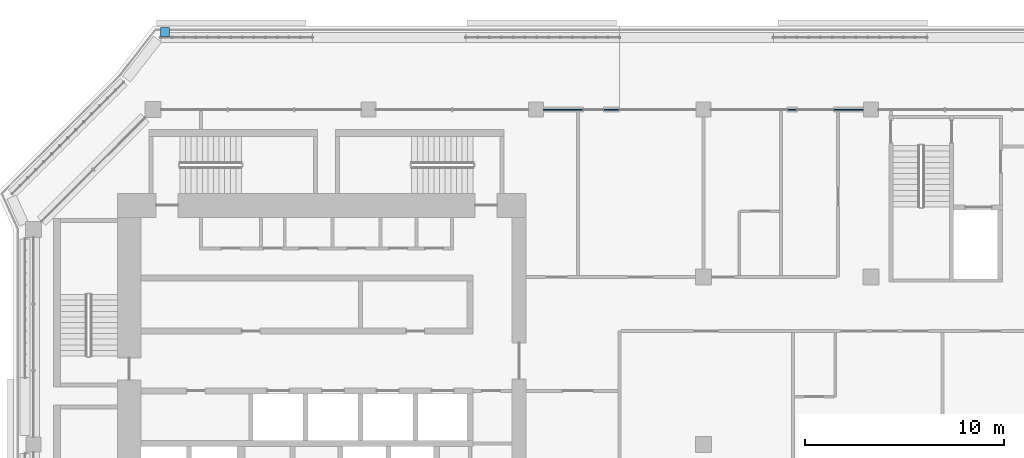
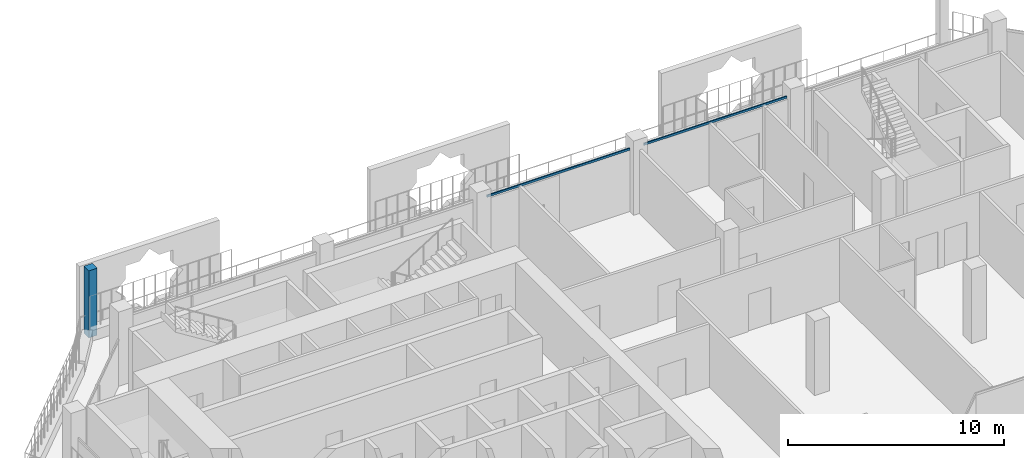
# One storey, part 7 of 21: 3 members, 2 elements without a shape of their own.
"""IFC4 building model written with IfcOpenShell, lengths in metres."""

import ifcopenshell
import ifcopenshell.guid

model = None  # the IFC model being written
_history = None  # IfcOwnerHistory: only IFC2X3 demands one
_inside = {}  # id of a spatial element -> (the spatial element, [elements in it])
_under = {}  # id of a project, library or spatial element -> (it, [spatial elements below it])
_declared = {}  # id of a project -> (the project, [libraries it declares])
_typed = {}  # id of a type object -> (the type object, [elements of that type])
_made_of = {}  # id of a material, layer set ... -> (it, [elements and type objects made of it])


def new_model(schema):
    """Start an empty IFC model of exactly this schema.

    Asked for "IFC4X3", IfcOpenShell would pick the latest addendum, in which some entities
    have other attributes; the version numbers below select the first issue.
    IFC2X3 requires an IfcOwnerHistory on every rooted entity: one is made here for all.
    """
    global model, _history
    if schema == "IFC4X3":
        model = ifcopenshell.file(schema_version=(4, 3, 0, 0))
    else:
        model = ifcopenshell.file(schema=schema)
    _inside.clear()
    _under.clear()
    _declared.clear()
    _typed.clear()
    _made_of.clear()
    _history = None
    if model.schema == "IFC2X3":
        org = make("IfcOrganization", Name="unknown")
        user = make(
            "IfcPersonAndOrganization",
            ThePerson=make("IfcPerson", FamilyName="unknown"),
            TheOrganization=org,
        )
        app = make(
            "IfcApplication",
            ApplicationDeveloper=org,
            Version="unknown",
            ApplicationFullName="unknown",
            ApplicationIdentifier="unknown",
        )
        _history = make(
            "IfcOwnerHistory",
            OwningUser=user,
            OwningApplication=app,
            ChangeAction="ADDED",
            CreationDate=0,
        )
    return model


def make(cls, **values):
    """One entity of the class cls with the attributes given. An attribute that is None is left unset."""
    return model.create_entity(
        cls, **{name: value for name, value in values.items() if value is not None}
    )


def rooted(cls, **values):
    """An entity with a GlobalId (a new one), such as an element, a storey or a relation."""
    return make(cls, GlobalId=ifcopenshell.guid.new(), OwnerHistory=_history, **values)


def si_unit(unit_type, name, prefix=None):
    """IfcSIUnit, for example si_unit("LENGTHUNIT", "METRE", prefix="MILLI")."""
    return make("IfcSIUnit", UnitType=unit_type, Prefix=prefix, Name=name)


def assignment(units):
    """IfcUnitAssignment: the units of a project."""
    return None if units is None else make("IfcUnitAssignment", Units=units)


def point(xyz):
    """IfcCartesianPoint."""
    return None if xyz is None else make("IfcCartesianPoint", Coordinates=xyz)


def direction(xyz):
    """IfcDirection."""
    return None if xyz is None else make("IfcDirection", DirectionRatios=xyz)


def frame(location, z_axis=None, x_axis=None):
    """IfcAxis2Placement3D, a coordinate frame: its origin and axes. An axis left out is left unset."""
    return make(
        "IfcAxis2Placement3D",
        Location=point(location),
        Axis=direction(z_axis),
        RefDirection=direction(x_axis),
    )


def frame_2d(location, x_axis=None):
    """IfcAxis2Placement2D, a coordinate frame in the plane: its origin and x axis."""
    return make(
        "IfcAxis2Placement2D", Location=point(location), RefDirection=direction(x_axis)
    )


def origin():
    """The frame at (0, 0, 0) with its axes left unset."""
    return frame((0.0, 0.0, 0.0))


def origin_2d():
    """The frame at (0, 0) in the plane with its x axis left unset."""
    return frame_2d((0.0, 0.0))


def place(relative_to, where):
    """IfcLocalPlacement: puts the frame where relative to a parent placement (None: the world)."""
    return make(
        "IfcLocalPlacement", PlacementRelTo=relative_to, RelativePlacement=where
    )


def context(
    kind, dimensions, precision=None, world=None, true_north=None, identifier=None
):
    """IfcGeometricRepresentationContext, for example the 3D "Model" context."""
    return make(
        "IfcGeometricRepresentationContext",
        ContextIdentifier=identifier,
        ContextType=kind,
        CoordinateSpaceDimension=dimensions,
        Precision=precision,
        WorldCoordinateSystem=world,
        TrueNorth=true_north,
    )


def subcontext(parent, identifier, kind, view, scale=None):
    """IfcGeometricRepresentationSubContext, for example "Body" below "Model"."""
    return make(
        "IfcGeometricRepresentationSubContext",
        ContextIdentifier=identifier,
        ContextType=kind,
        ParentContext=parent,
        TargetScale=scale,
        TargetView=view,
    )


def project(units=None, contexts=None):
    """IfcProject with its units and contexts."""
    return rooted(
        "IfcProject",
        Name="project",
        RepresentationContexts=contexts,
        UnitsInContext=assignment(units),
    )


def spatial(cls, under=None, at=None, **own):
    """A site, building, storey or space (cls), placed at a placement, below another one or the project."""
    s = rooted(cls, ObjectPlacement=at, **own)
    if under is not None:
        _under.setdefault(under.id(), (under, []))[1].append(s)
    return s


def profile(cls, at=None, kind="AREA", **sizes):
    """A parametric profile (cls). Its sizes go by their IFC names, for example OverallWidth=200.0."""
    return make(cls, ProfileType=kind, Position=at, **sizes)


def rectangle(**sizes):
    """IfcRectangleProfileDef."""
    return profile("IfcRectangleProfileDef", **sizes)


def extrude(swept, where, along, depth):
    """IfcExtrudedAreaSolid: the profile swept, set in the frame where, extruded along a direction by depth."""
    return make(
        "IfcExtrudedAreaSolid",
        SweptArea=swept,
        Position=where,
        ExtrudedDirection=direction(along),
        Depth=depth,
    )


def shape(context_of_items, identifier, shape_type, items):
    """IfcShapeRepresentation: the items that make up one representation, for example the "Body"."""
    return make(
        "IfcShapeRepresentation",
        ContextOfItems=context_of_items,
        RepresentationIdentifier=identifier,
        RepresentationType=shape_type,
        Items=items,
    )


def material(Name=None, Category=None):
    """IfcMaterial."""
    return make("IfcMaterial", Name=Name, Category=Category)


def layer(
    of_material, thickness, ventilated=None, Name=None, Category=None, Priority=None
):
    """IfcMaterialLayer: one layer of a wall or slab, of a material (None: an air gap)."""
    return make(
        "IfcMaterialLayer",
        Material=of_material,
        LayerThickness=thickness,
        IsVentilated=ventilated,
        Name=Name,
        Category=Category,
        Priority=Priority,
    )


def layer_set(layers, Name=None):
    """IfcMaterialLayerSet."""
    return make("IfcMaterialLayerSet", MaterialLayers=layers, LayerSetName=Name)


def material_profile(
    of_material, cross_section, Name=None, Category=None, Priority=None
):
    """IfcMaterialProfile: a cross section and its material."""
    return make(
        "IfcMaterialProfile",
        Name=Name,
        Material=of_material,
        Profile=cross_section,
        Priority=Priority,
        Category=Category,
    )


def profile_set(profiles, Name=None, composite=None):
    """IfcMaterialProfileSet."""
    return make(
        "IfcMaterialProfileSet",
        Name=Name,
        MaterialProfiles=profiles,
        CompositeProfile=composite,
    )


def made_of(thing, what):
    """Note that an element or type object is made of a material, layer set ...; save() writes the relation."""
    if what is not None:
        _made_of.setdefault(what.id(), (what, []))[1].append(thing)
    return thing


def type_object(cls, material=None, **own):
    """A type object (cls), such as IfcWallType, which elements share."""
    return made_of(rooted(cls, **own), material)


def element(
    cls,
    number,
    at=None,
    inside=None,
    cuts=None,
    type_object=None,
    material=None,
    context=None,
    identifier="Body",
    shape_type=None,
    held_by="IfcProductDefinitionShape",
    body=None,
    shapes=None,
    **own,
):
    """One element of the class cls, such as IfcWall. Its Tag is "e" and its number.

    at: its placement. inside: the storey or other place that contains it. cuts: it is an
    opening in that element (IfcRelVoidsElement). A single representation is given by context,
    identifier, shape_type and body (its items); several are given by shapes. held_by: the class
    of the entity that holds the representations. save() writes the other relations.
    """
    e = rooted(cls, Tag="e%d" % number, ObjectPlacement=at, **own)
    if body is not None:
        shapes = [shape(context, identifier, shape_type, body)]
    if shapes is not None:
        e.Representation = make(held_by, Representations=shapes)
    if inside is not None:
        _inside.setdefault(inside.id(), (inside, []))[1].append(e)
    if cuts is not None:
        rooted(
            "IfcRelVoidsElement", RelatingBuildingElement=cuts, RelatedOpeningElement=e
        )
    if type_object is not None:
        _typed.setdefault(type_object.id(), (type_object, []))[1].append(e)
    return made_of(e, material)


def aggregate(whole, parts):
    """IfcRelAggregates: a whole, such as a stair, and the parts it consists of."""
    return rooted("IfcRelAggregates", RelatingObject=whole, RelatedObjects=parts)


def save(model, path):
    """Write the relations noted so far, then the file.

    IfcRelAggregates (storeys below a building ...), IfcRelContainedInSpatialStructure (elements
    in a storey), IfcRelDefinesByType, IfcRelAssociatesMaterial and IfcRelDeclares: one each for
    every whole, place, type object, material and project.
    """
    for whole, parts in _under.values():
        aggregate(whole, parts)
    for where, things in _inside.values():
        rooted(
            "IfcRelContainedInSpatialStructure",
            RelatedElements=things,
            RelatingStructure=where,
        )
    for kind, things in _typed.values():
        rooted("IfcRelDefinesByType", RelatedObjects=things, RelatingType=kind)
    for what, things in _made_of.values():
        rooted("IfcRelAssociatesMaterial", RelatedObjects=things, RelatingMaterial=what)
    for by, libraries in _declared.values():
        rooted("IfcRelDeclares", RelatingContext=by, RelatedDefinitions=libraries)
    model.write(path)


model = new_model("IFC4")

# Units and contexts
model_context = context("Model", 3, precision=1e-05, world=origin(), true_north=direction((0.0, 1.0)))
body_context = subcontext(model_context, "Body", "Model", "MODEL_VIEW")
ifc_project = project(units=[si_unit("LENGTHUNIT", "METRE"), si_unit("AREAUNIT", "SQUARE_METRE"), si_unit("VOLUMEUNIT", "CUBIC_METRE"), si_unit("PLANEANGLEUNIT", "RADIAN"), si_unit("MASSUNIT", "GRAM", prefix="KILO")], contexts=[model_context])

# Site, building, storey
site_placement = place(None, origin())
site = spatial("IfcSite", under=ifc_project, at=site_placement, CompositionType="ELEMENT")
building_placement = place(site_placement, origin())
building = spatial("IfcBuilding", under=site, at=building_placement, Name="Kawkab Arch Medical Tower", CompositionType="ELEMENT")
storey_placement = place(building_placement, frame((0.0, 0.0, 323.800048828125)))
storey = spatial("IfcBuildingStorey", under=building, at=storey_placement, Name="L75", CompositionType="ELEMENT", Elevation=323.800048828125)

# Curtain wall, members
ifc_material_1 = material(Name="Bronze anodised aluminium curtain wall frame", Category="aluminium")
ifc_layer_1 = layer(ifc_material_1, 0.159912109375)
ifc_layer_set_1 = layer_set([ifc_layer_1], Name="Bronze anodised aluminium curtain wall frame")
curtain_wall_type_1 = type_object("IfcCurtainWallType", Name="CW1 ward curtain wall", PredefinedType="NOTDEFINED", material=ifc_layer_set_1)
placement = place(storey_placement, origin())
curtain_wall_1 = element("IfcCurtainWall", 1, at=placement, inside=storey, type_object=curtain_wall_type_1, Name="CW1 Ward curtain wall R15", PredefinedType="NOTDEFINED")
ifc_material_2 = material(Name="Bronze anodised aluminium curtain wall frame", Category="aluminium")
ifc_material_profile_1 = material_profile(ifc_material_2, rectangle(XDim=0.06005859375, YDim=0.1201171875, at=origin_2d()), Name="AL 60x120")
ifc_profile_set_1 = profile_set([ifc_material_profile_1], Name="Bronze anodised aluminium curtain wall frame")
member_type_1 = type_object("IfcMemberType", Name="CW1 transom 120 x 60", PredefinedType="USERDEFINED", material=ifc_profile_set_1)
member_1_placement = place(storey_placement, frame((41.625, 0.0, 3.5400390625), z_axis=(-1.0, 0.0, 0.0), x_axis=(0.0, -1.0, 0.0)))
member_1 = element("IfcMember", 2, at=member_1_placement, type_object=member_type_1, Name="CW1 transom 2", ObjectType="TRANSOM", PredefinedType="USERDEFINED", context=body_context, shape_type="SweptSolid", body=[
    extrude(rectangle(XDim=0.06005859375, YDim=0.1201171875, at=origin_2d()), origin(), (0.0, 0.0, 1.0), 7.64990234375),
])
member_2_placement = place(storey_placement, frame((33.22509765625, 0.0, 3.5400390625), z_axis=(-1.0, 0.0, 0.0), x_axis=(0.0, -1.0, 0.0)))
member_2 = element("IfcMember", 3, at=member_2_placement, type_object=member_type_1, Name="CW1 transom 3", ObjectType="TRANSOM", PredefinedType="USERDEFINED", context=body_context, shape_type="SweptSolid", body=[
    extrude(rectangle(XDim=0.06005859375, YDim=0.1201171875, at=origin_2d()), origin(), (0.0, 0.0, 1.0), 7.650146484375),
])
aggregate(curtain_wall_1, [member_1, member_2])

# Curtain wall, member
ifc_material_3 = material(Name="Bronze anodised aluminium climber frame, planted", Category="aluminium")
ifc_layer_2 = layer(ifc_material_3, 0.449951171875)
ifc_layer_set_2 = layer_set([ifc_layer_2], Name="Bronze anodised aluminium climber frame, planted")
curtain_wall_type_2 = type_object("IfcCurtainWallType", Name="Planted climber frame", PredefinedType="NOTDEFINED", material=ifc_layer_set_2)
curtain_wall_2 = element("IfcCurtainWall", 4, at=placement, inside=storey, type_object=curtain_wall_type_2, Name="Planted climber frame L75", PredefinedType="NOTDEFINED")
ifc_material_4 = material(Name="Bronze anodised aluminium climber frame, planted", Category="aluminium")
ifc_material_profile_2 = material_profile(ifc_material_4, rectangle(XDim=0.449951171875, YDim=0.449951171875, at=origin_2d()), Name="Post 450x450")
ifc_profile_set_2 = profile_set([ifc_material_profile_2], Name="Bronze anodised aluminium climber frame, planted")
member_type_2 = type_object("IfcMemberType", Name="Planted climber post 450 x 450", PredefinedType="MULLION", material=ifc_profile_set_2)
member_3_placement = place(storey_placement, frame((6.596923828125, 3.89990234375, 0.0), z_axis=(0.0, 0.0, 1.0), x_axis=(1.0, 0.0, 0.0)))
member_3 = element("IfcMember", 5, at=member_3_placement, type_object=member_type_2, Name="Planted climber post L75.LOG-01-01.3", PredefinedType="MULLION", context=body_context, shape_type="SweptSolid", body=[
    extrude(rectangle(XDim=0.449951171875, YDim=0.449951171875, at=origin_2d()), origin(), (0.0, 0.0, 1.0), 3.800048828125),
])
aggregate(curtain_wall_2, [member_3])

save(model, "model.ifc")
